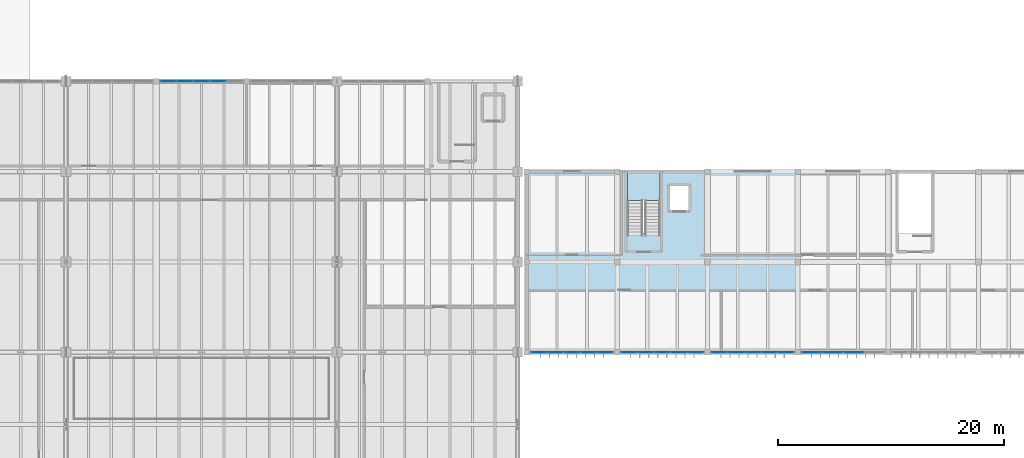
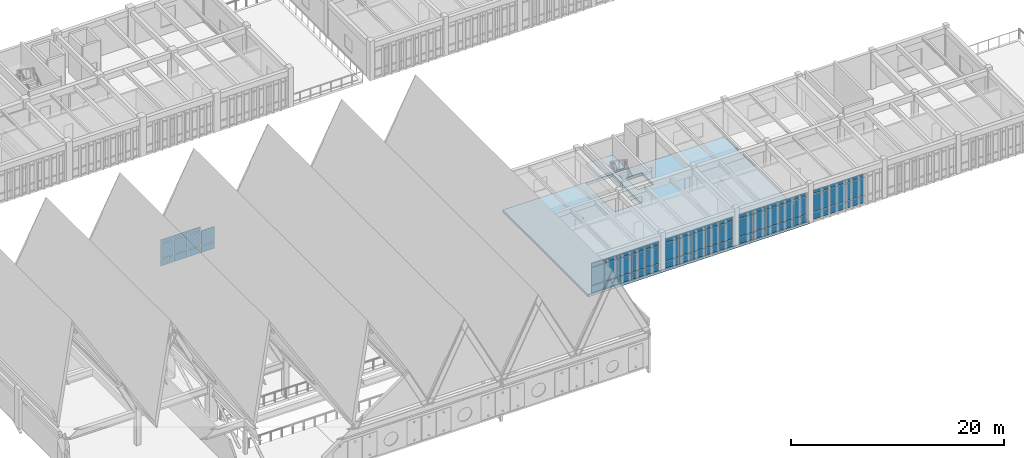
# One storey, part 36 of 72: 65 plates, 2 slabs, 6 elements without a shape of their own.
"""IFC4 building model written with IfcOpenShell, lengths in metres."""

from ifc_helpers import new_model, si_unit, direction, frame, origin, origin_2d, place, context, subcontext, project, spatial, polyline, rectangle, outline, extrude, material, layer, layer_set, type_object, element, aggregate, save


model = new_model("IFC4")

# Units and contexts
model_context = context("Model", 3, precision=1e-05, world=origin(), true_north=direction((0.0, 1.0)))
body_context = subcontext(model_context, "Body", "Model", "MODEL_VIEW")
ifc_project = project(units=[si_unit("LENGTHUNIT", "METRE"), si_unit("AREAUNIT", "SQUARE_METRE"), si_unit("VOLUMEUNIT", "CUBIC_METRE"), si_unit("PLANEANGLEUNIT", "RADIAN"), si_unit("MASSUNIT", "GRAM", prefix="KILO")], contexts=[model_context])

# Site, building, storey
site_placement = place(None, origin())
site = spatial("IfcSite", under=ifc_project, at=site_placement, CompositionType="ELEMENT")
building_placement = place(site_placement, origin())
building = spatial("IfcBuilding", under=site, at=building_placement, Name="Tlaxcora Railside Police Headquarters", CompositionType="ELEMENT")
storey_placement = place(building_placement, frame((0.0, 0.0, 13.5)))
storey = spatial("IfcBuildingStorey", under=building, at=storey_placement, Name="L03", CompositionType="ELEMENT", Elevation=13.5)

# Curtain wall, plates
ifc_material_1 = material(Name="Thermally broken low-E insulated glazing", Category="glass")
curtain_wall_type_1 = type_object("IfcCurtainWallType", Name="Unitised Curtain Wall Assembly CW-23", PredefinedType="NOTDEFINED", material=ifc_material_1)
curtain_wall_1_placement = place(storey_placement, origin())
curtain_wall_1 = element("IfcCurtainWall", 1, at=curtain_wall_1_placement, inside=storey, type_object=curtain_wall_type_1, Name="V7 L03 curtain wall 184", PredefinedType="NOTDEFINED")
ifc_layer_1 = layer(ifc_material_1, 0.0400390625, Name="Thermally broken low-E insulated glazing")
ifc_layer_set_1 = layer_set([ifc_layer_1], Name="Thermally broken low-E insulated glazing")
plate_type_1 = type_object("IfcPlateType", Name="Curtain Wall Infill Panel CW-17", PredefinedType="CURTAIN_PANEL", material=ifc_layer_set_1)
plate_1_placement = place(storey_placement, frame((103.860107421875, 36.0, 0.080078125), z_axis=(0.0, 0.0, 1.0), x_axis=(1.0, 0.0, 0.0)))
plate_1 = element("IfcPlate", 2, at=plate_1_placement, type_object=plate_type_1, Name="CW panel 1.1", PredefinedType="CURTAIN_PANEL", context=body_context, shape_type="SweptSolid", body=[
    extrude(rectangle(XDim=1.360107421875, YDim=0.0400390625, at=origin_2d()), origin(), (0.0, 0.0, 1.0), 0.780029296875),
])
plate_2_placement = place(storey_placement, frame((103.860107421875, 36.0, 0.93994140625), z_axis=(0.0, 0.0, 1.0), x_axis=(1.0, 0.0, 0.0)))
plate_2 = element("IfcPlate", 3, at=plate_2_placement, type_object=plate_type_1, Name="CW panel 1.2", PredefinedType="CURTAIN_PANEL", context=body_context, shape_type="SweptSolid", body=[
    extrude(rectangle(XDim=1.360107421875, YDim=0.0400390625, at=origin_2d()), origin(), (0.0, 0.0, 1.0), 2.010009765625),
])
plate_3_placement = place(storey_placement, frame((103.860107421875, 36.0, 3.0302734375), z_axis=(0.0, 0.0, 1.0), x_axis=(1.0, 0.0, 0.0)))
plate_3 = element("IfcPlate", 4, at=plate_3_placement, type_object=plate_type_1, Name="CW panel 1.3", PredefinedType="CURTAIN_PANEL", context=body_context, shape_type="SweptSolid", body=[
    extrude(rectangle(XDim=1.360107421875, YDim=0.0400390625, at=origin_2d()), origin(), (0.0, 0.0, 1.0), 0.409912109375),
])
plate_4_placement = place(storey_placement, frame((105.320068359375, 36.0, 0.080078125), z_axis=(0.0, 0.0, 1.0), x_axis=(1.0, 0.0, 0.0)))
plate_4 = element("IfcPlate", 5, at=plate_4_placement, type_object=plate_type_1, Name="CW panel 2.1", PredefinedType="CURTAIN_PANEL", context=body_context, shape_type="SweptSolid", body=[
    extrude(rectangle(XDim=1.39990234375, YDim=0.0400390625, at=origin_2d()), origin(), (0.0, 0.0, 1.0), 0.780029296875),
])
plate_5_placement = place(storey_placement, frame((105.320068359375, 36.0, 0.93994140625), z_axis=(0.0, 0.0, 1.0), x_axis=(1.0, 0.0, 0.0)))
plate_5 = element("IfcPlate", 6, at=plate_5_placement, type_object=plate_type_1, Name="CW panel 2.2", PredefinedType="CURTAIN_PANEL", context=body_context, shape_type="SweptSolid", body=[
    extrude(rectangle(XDim=1.39990234375, YDim=0.0400390625, at=origin_2d()), origin(), (0.0, 0.0, 1.0), 2.010009765625),
])
plate_6_placement = place(storey_placement, frame((105.320068359375, 36.0, 3.0302734375), z_axis=(0.0, 0.0, 1.0), x_axis=(1.0, 0.0, 0.0)))
plate_6 = element("IfcPlate", 7, at=plate_6_placement, type_object=plate_type_1, Name="CW panel 2.3", PredefinedType="CURTAIN_PANEL", context=body_context, shape_type="SweptSolid", body=[
    extrude(rectangle(XDim=1.39990234375, YDim=0.0400390625, at=origin_2d()), origin(), (0.0, 0.0, 1.0), 0.409912109375),
])
plate_7_placement = place(storey_placement, frame((106.800048828125, 36.0, 0.080078125), z_axis=(0.0, 0.0, 1.0), x_axis=(1.0, 0.0, 0.0)))
plate_7 = element("IfcPlate", 8, at=plate_7_placement, type_object=plate_type_1, Name="CW panel 3.1", PredefinedType="CURTAIN_PANEL", context=body_context, shape_type="SweptSolid", body=[
    extrude(rectangle(XDim=1.39990234375, YDim=0.0400390625, at=origin_2d()), origin(), (0.0, 0.0, 1.0), 0.780029296875),
])
plate_8_placement = place(storey_placement, frame((106.800048828125, 36.0, 0.93994140625), z_axis=(0.0, 0.0, 1.0), x_axis=(1.0, 0.0, 0.0)))
plate_8 = element("IfcPlate", 9, at=plate_8_placement, type_object=plate_type_1, Name="CW panel 3.2", PredefinedType="CURTAIN_PANEL", context=body_context, shape_type="SweptSolid", body=[
    extrude(rectangle(XDim=1.39990234375, YDim=0.0400390625, at=origin_2d()), origin(), (0.0, 0.0, 1.0), 2.010009765625),
])
plate_9_placement = place(storey_placement, frame((106.800048828125, 36.0, 3.0302734375), z_axis=(0.0, 0.0, 1.0), x_axis=(1.0, 0.0, 0.0)))
plate_9 = element("IfcPlate", 10, at=plate_9_placement, type_object=plate_type_1, Name="CW panel 3.3", PredefinedType="CURTAIN_PANEL", context=body_context, shape_type="SweptSolid", body=[
    extrude(rectangle(XDim=1.39990234375, YDim=0.0400390625, at=origin_2d()), origin(), (0.0, 0.0, 1.0), 0.409912109375),
])
plate_10_placement = place(storey_placement, frame((108.280029296875, 36.0, 0.080078125), z_axis=(0.0, 0.0, 1.0), x_axis=(1.0, 0.0, 0.0)))
plate_10 = element("IfcPlate", 11, at=plate_10_placement, type_object=plate_type_1, Name="CW panel 4.1", PredefinedType="CURTAIN_PANEL", context=body_context, shape_type="SweptSolid", body=[
    extrude(rectangle(XDim=1.39990234375, YDim=0.0400390625, at=origin_2d()), origin(), (0.0, 0.0, 1.0), 0.780029296875),
])
plate_11_placement = place(storey_placement, frame((108.280029296875, 36.0, 0.93994140625), z_axis=(0.0, 0.0, 1.0), x_axis=(1.0, 0.0, 0.0)))
plate_11 = element("IfcPlate", 12, at=plate_11_placement, type_object=plate_type_1, Name="CW panel 4.2", PredefinedType="CURTAIN_PANEL", context=body_context, shape_type="SweptSolid", body=[
    extrude(rectangle(XDim=1.39990234375, YDim=0.0400390625, at=origin_2d()), origin(), (0.0, 0.0, 1.0), 2.010009765625),
])
plate_12_placement = place(storey_placement, frame((108.280029296875, 36.0, 3.0302734375), z_axis=(0.0, 0.0, 1.0), x_axis=(1.0, 0.0, 0.0)))
plate_12 = element("IfcPlate", 13, at=plate_12_placement, type_object=plate_type_1, Name="CW panel 4.3", PredefinedType="CURTAIN_PANEL", context=body_context, shape_type="SweptSolid", body=[
    extrude(rectangle(XDim=1.39990234375, YDim=0.0400390625, at=origin_2d()), origin(), (0.0, 0.0, 1.0), 0.409912109375),
])
plate_13_placement = place(storey_placement, frame((109.739990234375, 36.0, 0.080078125), z_axis=(0.0, 0.0, 1.0), x_axis=(1.0, 0.0, 0.0)))
plate_13 = element("IfcPlate", 14, at=plate_13_placement, type_object=plate_type_1, Name="CW panel 5.1", PredefinedType="CURTAIN_PANEL", context=body_context, shape_type="SweptSolid", body=[
    extrude(rectangle(XDim=1.360107421875, YDim=0.0400390625, at=origin_2d()), origin(), (0.0, 0.0, 1.0), 0.780029296875),
])
plate_14_placement = place(storey_placement, frame((109.739990234375, 36.0, 0.93994140625), z_axis=(0.0, 0.0, 1.0), x_axis=(1.0, 0.0, 0.0)))
plate_14 = element("IfcPlate", 15, at=plate_14_placement, type_object=plate_type_1, Name="CW panel 5.2", PredefinedType="CURTAIN_PANEL", context=body_context, shape_type="SweptSolid", body=[
    extrude(rectangle(XDim=1.360107421875, YDim=0.0400390625, at=origin_2d()), origin(), (0.0, 0.0, 1.0), 2.010009765625),
])
plate_15_placement = place(storey_placement, frame((109.739990234375, 36.0, 3.0302734375), z_axis=(0.0, 0.0, 1.0), x_axis=(1.0, 0.0, 0.0)))
plate_15 = element("IfcPlate", 16, at=plate_15_placement, type_object=plate_type_1, Name="CW panel 5.3", PredefinedType="CURTAIN_PANEL", context=body_context, shape_type="SweptSolid", body=[
    extrude(rectangle(XDim=1.360107421875, YDim=0.0400390625, at=origin_2d()), origin(), (0.0, 0.0, 1.0), 0.409912109375),
])
aggregate(curtain_wall_1, [plate_1, plate_2, plate_3, plate_4, plate_5, plate_6, plate_7, plate_8, plate_9, plate_10, plate_11, plate_12, plate_13, plate_14, plate_15])

curtain_wall_type_2 = type_object("IfcCurtainWallType", Name="Unitised Curtain Wall Assembly CW-15", PredefinedType="NOTDEFINED", material=ifc_material_1)
curtain_wall_2_placement = place(storey_placement, origin())
curtain_wall_2 = element("IfcCurtainWall", 17, at=curtain_wall_2_placement, inside=storey, type_object=curtain_wall_type_2, Name="V2 L03 curtain wall 18", PredefinedType="NOTDEFINED")
ifc_layer_2 = layer(ifc_material_1, 0.031982421875, Name="Thermally broken low-E insulated glazing")
ifc_layer_set_2 = layer_set([ifc_layer_2], Name="Thermally broken low-E insulated glazing")
plate_type_2 = type_object("IfcPlateType", Name="Curtain Wall Infill Panel CW-41", PredefinedType="CURTAIN_PANEL", material=ifc_layer_set_2)
plate_16_placement = place(storey_placement, frame((75.47998046875, 60.0, 0.074951171875), z_axis=(0.0, 0.0, 1.0), x_axis=(-1.0, 0.0, 0.0)))
plate_16 = element("IfcPlate", 18, at=plate_16_placement, type_object=plate_type_2, Name="CW panel 2.1", PredefinedType="CURTAIN_PANEL", context=body_context, shape_type="SweptSolid", body=[
    extrude(rectangle(XDim=1.405029296875, YDim=0.031982421875, at=origin_2d()), origin(), (0.0, 0.0, 1.0), 0.78759765625),
])
plate_17_placement = place(storey_placement, frame((75.47998046875, 60.0, 0.9375), z_axis=(0.0, 0.0, 1.0), x_axis=(-1.0, 0.0, 0.0)))
plate_17 = element("IfcPlate", 19, at=plate_17_placement, type_object=plate_type_2, Name="CW panel 2.2", PredefinedType="CURTAIN_PANEL", context=body_context, shape_type="SweptSolid", body=[
    extrude(rectangle(XDim=1.405029296875, YDim=0.031982421875, at=origin_2d()), origin(), (0.0, 0.0, 1.0), 1.64990234375),
])
plate_18_placement = place(storey_placement, frame((74.0, 60.0, 0.074951171875), z_axis=(0.0, 0.0, 1.0), x_axis=(-1.0, 0.0, 0.0)))
plate_18 = element("IfcPlate", 20, at=plate_18_placement, type_object=plate_type_2, Name="CW panel 3.1", PredefinedType="CURTAIN_PANEL", context=body_context, shape_type="SweptSolid", body=[
    extrude(rectangle(XDim=1.405029296875, YDim=0.031982421875, at=origin_2d()), origin(), (0.0, 0.0, 1.0), 0.78759765625),
])
plate_19_placement = place(storey_placement, frame((74.0, 60.0, 0.9375), z_axis=(0.0, 0.0, 1.0), x_axis=(-1.0, 0.0, 0.0)))
plate_19 = element("IfcPlate", 21, at=plate_19_placement, type_object=plate_type_2, Name="CW panel 3.2", PredefinedType="CURTAIN_PANEL", context=body_context, shape_type="SweptSolid", body=[
    extrude(rectangle(XDim=1.405029296875, YDim=0.031982421875, at=origin_2d()), origin(), (0.0, 0.0, 1.0), 1.64990234375),
])
plate_20_placement = place(storey_placement, frame((74.0, 60.0, 2.66259765625), z_axis=(0.0, 0.0, 1.0), x_axis=(-1.0, 0.0, 0.0)))
plate_20 = element("IfcPlate", 22, at=plate_20_placement, type_object=plate_type_2, Name="CW panel 3.3", PredefinedType="CURTAIN_PANEL", context=body_context, shape_type="SweptSolid", body=[
    extrude(rectangle(XDim=1.405029296875, YDim=0.031982421875, at=origin_2d()), origin(), (0.0, 0.0, 1.0), 0.41748046875),
])
plate_21_placement = place(storey_placement, frame((72.52001953125, 60.0, 0.074951171875), z_axis=(0.0, 0.0, 1.0), x_axis=(-1.0, 0.0, 0.0)))
plate_21 = element("IfcPlate", 23, at=plate_21_placement, type_object=plate_type_2, Name="CW panel 4.1", PredefinedType="CURTAIN_PANEL", context=body_context, shape_type="SweptSolid", body=[
    extrude(rectangle(XDim=1.405029296875, YDim=0.031982421875, at=origin_2d()), origin(), (0.0, 0.0, 1.0), 0.78759765625),
])
plate_22_placement = place(storey_placement, frame((72.52001953125, 60.0, 0.9375), z_axis=(0.0, 0.0, 1.0), x_axis=(-1.0, 0.0, 0.0)))
plate_22 = element("IfcPlate", 24, at=plate_22_placement, type_object=plate_type_2, Name="CW panel 4.2", PredefinedType="CURTAIN_PANEL", context=body_context, shape_type="SweptSolid", body=[
    extrude(rectangle(XDim=1.405029296875, YDim=0.031982421875, at=origin_2d()), origin(), (0.0, 0.0, 1.0), 1.64990234375),
])
plate_23_placement = place(storey_placement, frame((72.52001953125, 60.0, 2.66259765625), z_axis=(0.0, 0.0, 1.0), x_axis=(-1.0, 0.0, 0.0)))
plate_23 = element("IfcPlate", 25, at=plate_23_placement, type_object=plate_type_2, Name="CW panel 4.3", PredefinedType="CURTAIN_PANEL", context=body_context, shape_type="SweptSolid", body=[
    extrude(rectangle(XDim=1.405029296875, YDim=0.031982421875, at=origin_2d()), origin(), (0.0, 0.0, 1.0), 0.41748046875),
])
plate_24_placement = place(storey_placement, frame((71.058837890625, 60.0, 0.074951171875), z_axis=(0.0, 0.0, 1.0), x_axis=(-1.0, 0.0, 0.0)))
plate_24 = element("IfcPlate", 26, at=plate_24_placement, type_object=plate_type_2, Name="CW panel 5.1", PredefinedType="CURTAIN_PANEL", context=body_context, shape_type="SweptSolid", body=[
    extrude(rectangle(XDim=1.367431640625, YDim=0.031982421875, at=origin_2d()), origin(), (0.0, 0.0, 1.0), 0.78759765625),
])
plate_25_placement = place(storey_placement, frame((71.058837890625, 60.0, 0.9375), z_axis=(0.0, 0.0, 1.0), x_axis=(-1.0, 0.0, 0.0)))
plate_25 = element("IfcPlate", 27, at=plate_25_placement, type_object=plate_type_2, Name="CW panel 5.2", PredefinedType="CURTAIN_PANEL", context=body_context, shape_type="SweptSolid", body=[
    extrude(rectangle(XDim=1.367431640625, YDim=0.031982421875, at=origin_2d()), origin(), (0.0, 0.0, 1.0), 1.64990234375),
])
plate_26_placement = place(storey_placement, frame((71.058837890625, 60.0, 2.66259765625), z_axis=(0.0, 0.0, 1.0), x_axis=(-1.0, 0.0, 0.0)))
plate_26 = element("IfcPlate", 28, at=plate_26_placement, type_object=plate_type_2, Name="CW panel 5.3", PredefinedType="CURTAIN_PANEL", context=body_context, shape_type="SweptSolid", body=[
    extrude(rectangle(XDim=1.367431640625, YDim=0.031982421875, at=origin_2d()), origin(), (0.0, 0.0, 1.0), 0.41748046875),
])
aggregate(curtain_wall_2, [plate_16, plate_17, plate_18, plate_19, plate_20, plate_21, plate_22, plate_23, plate_24, plate_25, plate_26])

curtain_wall_3_placement = place(storey_placement, origin())
curtain_wall_3 = element("IfcCurtainWall", 29, at=curtain_wall_3_placement, inside=storey, type_object=curtain_wall_type_2, Name="V7 L03 curtain wall 186", PredefinedType="NOTDEFINED")
plate_27_placement = place(storey_placement, frame((119.858642578125, 36.0, 0.074951171875), z_axis=(0.0, 0.0, 1.0), x_axis=(1.0, 0.0, 0.0)))
plate_27 = element("IfcPlate", 30, at=plate_27_placement, type_object=plate_type_2, Name="CW panel 1.1", PredefinedType="CURTAIN_PANEL", context=body_context, shape_type="SweptSolid", body=[
    extrude(rectangle(XDim=1.367431640625, YDim=0.031982421875, at=origin_2d()), origin(), (0.0, 0.0, 1.0), 0.78759765625),
])
plate_28_placement = place(storey_placement, frame((119.858642578125, 36.0, 0.9375), z_axis=(0.0, 0.0, 1.0), x_axis=(1.0, 0.0, 0.0)))
plate_28 = element("IfcPlate", 31, at=plate_28_placement, type_object=plate_type_2, Name="CW panel 1.2", PredefinedType="CURTAIN_PANEL", context=body_context, shape_type="SweptSolid", body=[
    extrude(rectangle(XDim=1.367431640625, YDim=0.031982421875, at=origin_2d()), origin(), (0.0, 0.0, 1.0), 2.014892578125),
])
plate_29_placement = place(storey_placement, frame((119.858642578125, 36.0, 3.027587890625), z_axis=(0.0, 0.0, 1.0), x_axis=(1.0, 0.0, 0.0)))
plate_29 = element("IfcPlate", 32, at=plate_29_placement, type_object=plate_type_2, Name="CW panel 1.3", PredefinedType="CURTAIN_PANEL", context=body_context, shape_type="SweptSolid", body=[
    extrude(rectangle(XDim=1.367431640625, YDim=0.031982421875, at=origin_2d()), origin(), (0.0, 0.0, 1.0), 0.41748046875),
])
plate_30_placement = place(storey_placement, frame((121.320068359375, 36.0, 0.074951171875), z_axis=(0.0, 0.0, 1.0), x_axis=(1.0, 0.0, 0.0)))
plate_30 = element("IfcPlate", 33, at=plate_30_placement, type_object=plate_type_2, Name="CW panel 2.1", PredefinedType="CURTAIN_PANEL", context=body_context, shape_type="SweptSolid", body=[
    extrude(rectangle(XDim=1.405029296875, YDim=0.031982421875, at=origin_2d()), origin(), (0.0, 0.0, 1.0), 0.78759765625),
])
plate_31_placement = place(storey_placement, frame((121.320068359375, 36.0, 0.9375), z_axis=(0.0, 0.0, 1.0), x_axis=(1.0, 0.0, 0.0)))
plate_31 = element("IfcPlate", 34, at=plate_31_placement, type_object=plate_type_2, Name="CW panel 2.2", PredefinedType="CURTAIN_PANEL", context=body_context, shape_type="SweptSolid", body=[
    extrude(rectangle(XDim=1.405029296875, YDim=0.031982421875, at=origin_2d()), origin(), (0.0, 0.0, 1.0), 2.014892578125),
])
plate_32_placement = place(storey_placement, frame((121.320068359375, 36.0, 3.027587890625), z_axis=(0.0, 0.0, 1.0), x_axis=(1.0, 0.0, 0.0)))
plate_32 = element("IfcPlate", 35, at=plate_32_placement, type_object=plate_type_2, Name="CW panel 2.3", PredefinedType="CURTAIN_PANEL", context=body_context, shape_type="SweptSolid", body=[
    extrude(rectangle(XDim=1.405029296875, YDim=0.031982421875, at=origin_2d()), origin(), (0.0, 0.0, 1.0), 0.41748046875),
])
plate_33_placement = place(storey_placement, frame((122.800048828125, 36.0, 0.074951171875), z_axis=(0.0, 0.0, 1.0), x_axis=(1.0, 0.0, 0.0)))
plate_33 = element("IfcPlate", 36, at=plate_33_placement, type_object=plate_type_2, Name="CW panel 3.1", PredefinedType="CURTAIN_PANEL", context=body_context, shape_type="SweptSolid", body=[
    extrude(rectangle(XDim=1.405029296875, YDim=0.031982421875, at=origin_2d()), origin(), (0.0, 0.0, 1.0), 0.78759765625),
])
plate_34_placement = place(storey_placement, frame((122.800048828125, 36.0, 0.9375), z_axis=(0.0, 0.0, 1.0), x_axis=(1.0, 0.0, 0.0)))
plate_34 = element("IfcPlate", 37, at=plate_34_placement, type_object=plate_type_2, Name="CW panel 3.2", PredefinedType="CURTAIN_PANEL", context=body_context, shape_type="SweptSolid", body=[
    extrude(rectangle(XDim=1.405029296875, YDim=0.031982421875, at=origin_2d()), origin(), (0.0, 0.0, 1.0), 2.014892578125),
])
plate_35_placement = place(storey_placement, frame((122.800048828125, 36.0, 3.027587890625), z_axis=(0.0, 0.0, 1.0), x_axis=(1.0, 0.0, 0.0)))
plate_35 = element("IfcPlate", 38, at=plate_35_placement, type_object=plate_type_2, Name="CW panel 3.3", PredefinedType="CURTAIN_PANEL", context=body_context, shape_type="SweptSolid", body=[
    extrude(rectangle(XDim=1.405029296875, YDim=0.031982421875, at=origin_2d()), origin(), (0.0, 0.0, 1.0), 0.41748046875),
])
plate_36_placement = place(storey_placement, frame((124.280029296875, 36.0, 0.074951171875), z_axis=(0.0, 0.0, 1.0), x_axis=(1.0, 0.0, 0.0)))
plate_36 = element("IfcPlate", 39, at=plate_36_placement, type_object=plate_type_2, Name="CW panel 4.1", PredefinedType="CURTAIN_PANEL", context=body_context, shape_type="SweptSolid", body=[
    extrude(rectangle(XDim=1.405029296875, YDim=0.031982421875, at=origin_2d()), origin(), (0.0, 0.0, 1.0), 0.78759765625),
])
plate_37_placement = place(storey_placement, frame((124.280029296875, 36.0, 0.9375), z_axis=(0.0, 0.0, 1.0), x_axis=(1.0, 0.0, 0.0)))
plate_37 = element("IfcPlate", 40, at=plate_37_placement, type_object=plate_type_2, Name="CW panel 4.2", PredefinedType="CURTAIN_PANEL", context=body_context, shape_type="SweptSolid", body=[
    extrude(rectangle(XDim=1.405029296875, YDim=0.031982421875, at=origin_2d()), origin(), (0.0, 0.0, 1.0), 2.014892578125),
])
plate_38_placement = place(storey_placement, frame((124.280029296875, 36.0, 3.027587890625), z_axis=(0.0, 0.0, 1.0), x_axis=(1.0, 0.0, 0.0)))
plate_38 = element("IfcPlate", 41, at=plate_38_placement, type_object=plate_type_2, Name="CW panel 4.3", PredefinedType="CURTAIN_PANEL", context=body_context, shape_type="SweptSolid", body=[
    extrude(rectangle(XDim=1.405029296875, YDim=0.031982421875, at=origin_2d()), origin(), (0.0, 0.0, 1.0), 0.41748046875),
])
plate_39_placement = place(storey_placement, frame((125.7412109375, 36.0, 0.074951171875), z_axis=(0.0, 0.0, 1.0), x_axis=(1.0, 0.0, 0.0)))
plate_39 = element("IfcPlate", 42, at=plate_39_placement, type_object=plate_type_2, Name="CW panel 5.1", PredefinedType="CURTAIN_PANEL", context=body_context, shape_type="SweptSolid", body=[
    extrude(rectangle(XDim=1.367431640625, YDim=0.031982421875, at=origin_2d()), origin(), (0.0, 0.0, 1.0), 0.78759765625),
])
plate_40_placement = place(storey_placement, frame((125.7412109375, 36.0, 0.9375), z_axis=(0.0, 0.0, 1.0), x_axis=(1.0, 0.0, 0.0)))
plate_40 = element("IfcPlate", 43, at=plate_40_placement, type_object=plate_type_2, Name="CW panel 5.2", PredefinedType="CURTAIN_PANEL", context=body_context, shape_type="SweptSolid", body=[
    extrude(rectangle(XDim=1.367431640625, YDim=0.031982421875, at=origin_2d()), origin(), (0.0, 0.0, 1.0), 2.014892578125),
])
plate_41_placement = place(storey_placement, frame((125.7412109375, 36.0, 3.027587890625), z_axis=(0.0, 0.0, 1.0), x_axis=(1.0, 0.0, 0.0)))
plate_41 = element("IfcPlate", 44, at=plate_41_placement, type_object=plate_type_2, Name="CW panel 5.3", PredefinedType="CURTAIN_PANEL", context=body_context, shape_type="SweptSolid", body=[
    extrude(rectangle(XDim=1.367431640625, YDim=0.031982421875, at=origin_2d()), origin(), (0.0, 0.0, 1.0), 0.41748046875),
])
aggregate(curtain_wall_3, [plate_27, plate_28, plate_29, plate_30, plate_31, plate_32, plate_33, plate_34, plate_35, plate_36, plate_37, plate_38, plate_39, plate_40, plate_41])

curtain_wall_type_3 = type_object("IfcCurtainWallType", Name="Unitised Curtain Wall Assembly CW-83", PredefinedType="NOTDEFINED", material=ifc_material_1)
curtain_wall_4_placement = place(storey_placement, origin())
curtain_wall_4 = element("IfcCurtainWall", 45, at=curtain_wall_4_placement, inside=storey, type_object=curtain_wall_type_3, Name="V7 L03 curtain wall 187", PredefinedType="NOTDEFINED")
ifc_layer_3 = layer(ifc_material_1, 0.035888671875, Name="Thermally broken low-E insulated glazing")
ifc_layer_set_3 = layer_set([ifc_layer_3], Name="Thermally broken low-E insulated glazing")
plate_type_3 = type_object("IfcPlateType", Name="Curtain Wall Infill Panel CW-72", PredefinedType="CURTAIN_PANEL", material=ifc_layer_set_3)
plate_42_placement = place(storey_placement, frame((128.044921875, 36.0, 0.080078125), z_axis=(0.0, 0.0, 1.0), x_axis=(1.0, 0.0, 0.0)))
plate_42 = element("IfcPlate", 46, at=plate_42_placement, type_object=plate_type_3, Name="CW panel 1.1", PredefinedType="CURTAIN_PANEL", context=body_context, shape_type="SweptSolid", body=[
    extrude(rectangle(XDim=1.72998046875, YDim=0.035888671875, at=origin_2d()), origin(), (0.0, 0.0, 1.0), 0.780029296875),
])
plate_43_placement = place(storey_placement, frame((128.044921875, 36.0, 0.93994140625), z_axis=(0.0, 0.0, 1.0), x_axis=(1.0, 0.0, 0.0)))
plate_43 = element("IfcPlate", 47, at=plate_43_placement, type_object=plate_type_3, Name="CW panel 1.2", PredefinedType="CURTAIN_PANEL", context=body_context, shape_type="SweptSolid", body=[
    extrude(rectangle(XDim=1.72998046875, YDim=0.035888671875, at=origin_2d()), origin(), (0.0, 0.0, 1.0), 2.010009765625),
])
plate_44_placement = place(storey_placement, frame((128.044921875, 36.0, 3.0302734375), z_axis=(0.0, 0.0, 1.0), x_axis=(1.0, 0.0, 0.0)))
plate_44 = element("IfcPlate", 48, at=plate_44_placement, type_object=plate_type_3, Name="CW panel 1.3", PredefinedType="CURTAIN_PANEL", context=body_context, shape_type="SweptSolid", body=[
    extrude(rectangle(XDim=1.72998046875, YDim=0.035888671875, at=origin_2d()), origin(), (0.0, 0.0, 1.0), 0.409912109375),
])
plate_45_placement = place(storey_placement, frame((129.875, 36.0, 0.080078125), z_axis=(0.0, 0.0, 1.0), x_axis=(1.0, 0.0, 0.0)))
plate_45 = element("IfcPlate", 49, at=plate_45_placement, type_object=plate_type_3, Name="CW panel 2.1", PredefinedType="CURTAIN_PANEL", context=body_context, shape_type="SweptSolid", body=[
    extrude(rectangle(XDim=1.77001953125, YDim=0.035888671875, at=origin_2d()), origin(), (0.0, 0.0, 1.0), 0.780029296875),
])
plate_46_placement = place(storey_placement, frame((129.875, 36.0, 0.93994140625), z_axis=(0.0, 0.0, 1.0), x_axis=(1.0, 0.0, 0.0)))
plate_46 = element("IfcPlate", 50, at=plate_46_placement, type_object=plate_type_3, Name="CW panel 2.2", PredefinedType="CURTAIN_PANEL", context=body_context, shape_type="SweptSolid", body=[
    extrude(rectangle(XDim=1.77001953125, YDim=0.035888671875, at=origin_2d()), origin(), (0.0, 0.0, 1.0), 2.010009765625),
])
plate_47_placement = place(storey_placement, frame((129.875, 36.0, 3.0302734375), z_axis=(0.0, 0.0, 1.0), x_axis=(1.0, 0.0, 0.0)))
plate_47 = element("IfcPlate", 51, at=plate_47_placement, type_object=plate_type_3, Name="CW panel 2.3", PredefinedType="CURTAIN_PANEL", context=body_context, shape_type="SweptSolid", body=[
    extrude(rectangle(XDim=1.77001953125, YDim=0.035888671875, at=origin_2d()), origin(), (0.0, 0.0, 1.0), 0.409912109375),
])
plate_48_placement = place(storey_placement, frame((131.72509765625, 36.0, 0.080078125), z_axis=(0.0, 0.0, 1.0), x_axis=(1.0, 0.0, 0.0)))
plate_48 = element("IfcPlate", 52, at=plate_48_placement, type_object=plate_type_3, Name="CW panel 3.1", PredefinedType="CURTAIN_PANEL", context=body_context, shape_type="SweptSolid", body=[
    extrude(rectangle(XDim=1.77001953125, YDim=0.035888671875, at=origin_2d()), origin(), (0.0, 0.0, 1.0), 0.780029296875),
])
plate_49_placement = place(storey_placement, frame((131.72509765625, 36.0, 0.93994140625), z_axis=(0.0, 0.0, 1.0), x_axis=(1.0, 0.0, 0.0)))
plate_49 = element("IfcPlate", 53, at=plate_49_placement, type_object=plate_type_3, Name="CW panel 3.2", PredefinedType="CURTAIN_PANEL", context=body_context, shape_type="SweptSolid", body=[
    extrude(rectangle(XDim=1.77001953125, YDim=0.035888671875, at=origin_2d()), origin(), (0.0, 0.0, 1.0), 2.010009765625),
])
plate_50_placement = place(storey_placement, frame((131.72509765625, 36.0, 3.0302734375), z_axis=(0.0, 0.0, 1.0), x_axis=(1.0, 0.0, 0.0)))
plate_50 = element("IfcPlate", 54, at=plate_50_placement, type_object=plate_type_3, Name="CW panel 3.3", PredefinedType="CURTAIN_PANEL", context=body_context, shape_type="SweptSolid", body=[
    extrude(rectangle(XDim=1.77001953125, YDim=0.035888671875, at=origin_2d()), origin(), (0.0, 0.0, 1.0), 0.409912109375),
])
aggregate(curtain_wall_4, [plate_42, plate_43, plate_44, plate_45, plate_46, plate_47, plate_48, plate_49, plate_50])

curtain_wall_type_4 = type_object("IfcCurtainWallType", Name="Unitised Curtain Wall Assembly CW-38", PredefinedType="NOTDEFINED", material=ifc_material_1)
curtain_wall_5_placement = place(storey_placement, origin())
curtain_wall_5 = element("IfcCurtainWall", 55, at=curtain_wall_5_placement, inside=storey, type_object=curtain_wall_type_4, Name="V7 L03 curtain wall 185", PredefinedType="NOTDEFINED")
ifc_layer_4 = layer(ifc_material_1, 0.028076171875, Name="Thermally broken low-E insulated glazing")
ifc_layer_set_4 = layer_set([ifc_layer_4], Name="Thermally broken low-E insulated glazing")
plate_type_4 = type_object("IfcPlateType", Name="Curtain Wall Infill Panel CW-92", PredefinedType="CURTAIN_PANEL", material=ifc_layer_set_4)
plate_51_placement = place(storey_placement, frame((111.858642578125, 36.0, 0.074951171875), z_axis=(0.0, 0.0, 1.0), x_axis=(1.0, 0.0, 0.0)))
plate_51 = element("IfcPlate", 56, at=plate_51_placement, type_object=plate_type_4, Name="CW panel 1.1", PredefinedType="CURTAIN_PANEL", context=body_context, shape_type="SweptSolid", body=[
    extrude(rectangle(XDim=1.367431640625, YDim=0.028076171875, at=origin_2d()), origin(), (0.0, 0.0, 1.0), 0.78759765625),
])
plate_52_placement = place(storey_placement, frame((111.858642578125, 36.0, 0.9375), z_axis=(0.0, 0.0, 1.0), x_axis=(1.0, 0.0, 0.0)))
plate_52 = element("IfcPlate", 57, at=plate_52_placement, type_object=plate_type_4, Name="CW panel 1.2", PredefinedType="CURTAIN_PANEL", context=body_context, shape_type="SweptSolid", body=[
    extrude(rectangle(XDim=1.367431640625, YDim=0.028076171875, at=origin_2d()), origin(), (0.0, 0.0, 1.0), 2.014892578125),
])
plate_53_placement = place(storey_placement, frame((111.858642578125, 36.0, 3.027587890625), z_axis=(0.0, 0.0, 1.0), x_axis=(1.0, 0.0, 0.0)))
plate_53 = element("IfcPlate", 58, at=plate_53_placement, type_object=plate_type_4, Name="CW panel 1.3", PredefinedType="CURTAIN_PANEL", context=body_context, shape_type="SweptSolid", body=[
    extrude(rectangle(XDim=1.367431640625, YDim=0.028076171875, at=origin_2d()), origin(), (0.0, 0.0, 1.0), 0.41748046875),
])
plate_54_placement = place(storey_placement, frame((113.320068359375, 36.0, 0.074951171875), z_axis=(0.0, 0.0, 1.0), x_axis=(1.0, 0.0, 0.0)))
plate_54 = element("IfcPlate", 59, at=plate_54_placement, type_object=plate_type_4, Name="CW panel 2.1", PredefinedType="CURTAIN_PANEL", context=body_context, shape_type="SweptSolid", body=[
    extrude(rectangle(XDim=1.405029296875, YDim=0.028076171875, at=origin_2d()), origin(), (0.0, 0.0, 1.0), 0.78759765625),
])
plate_55_placement = place(storey_placement, frame((113.320068359375, 36.0, 0.9375), z_axis=(0.0, 0.0, 1.0), x_axis=(1.0, 0.0, 0.0)))
plate_55 = element("IfcPlate", 60, at=plate_55_placement, type_object=plate_type_4, Name="CW panel 2.2", PredefinedType="CURTAIN_PANEL", context=body_context, shape_type="SweptSolid", body=[
    extrude(rectangle(XDim=1.405029296875, YDim=0.028076171875, at=origin_2d()), origin(), (0.0, 0.0, 1.0), 2.014892578125),
])
plate_56_placement = place(storey_placement, frame((113.320068359375, 36.0, 3.027587890625), z_axis=(0.0, 0.0, 1.0), x_axis=(1.0, 0.0, 0.0)))
plate_56 = element("IfcPlate", 61, at=plate_56_placement, type_object=plate_type_4, Name="CW panel 2.3", PredefinedType="CURTAIN_PANEL", context=body_context, shape_type="SweptSolid", body=[
    extrude(rectangle(XDim=1.405029296875, YDim=0.028076171875, at=origin_2d()), origin(), (0.0, 0.0, 1.0), 0.41748046875),
])
plate_57_placement = place(storey_placement, frame((114.800048828125, 36.0, 0.074951171875), z_axis=(0.0, 0.0, 1.0), x_axis=(1.0, 0.0, 0.0)))
plate_57 = element("IfcPlate", 62, at=plate_57_placement, type_object=plate_type_4, Name="CW panel 3.1", PredefinedType="CURTAIN_PANEL", context=body_context, shape_type="SweptSolid", body=[
    extrude(rectangle(XDim=1.405029296875, YDim=0.028076171875, at=origin_2d()), origin(), (0.0, 0.0, 1.0), 0.78759765625),
])
plate_58_placement = place(storey_placement, frame((114.800048828125, 36.0, 0.9375), z_axis=(0.0, 0.0, 1.0), x_axis=(1.0, 0.0, 0.0)))
plate_58 = element("IfcPlate", 63, at=plate_58_placement, type_object=plate_type_4, Name="CW panel 3.2", PredefinedType="CURTAIN_PANEL", context=body_context, shape_type="SweptSolid", body=[
    extrude(rectangle(XDim=1.405029296875, YDim=0.028076171875, at=origin_2d()), origin(), (0.0, 0.0, 1.0), 2.014892578125),
])
plate_59_placement = place(storey_placement, frame((114.800048828125, 36.0, 3.027587890625), z_axis=(0.0, 0.0, 1.0), x_axis=(1.0, 0.0, 0.0)))
plate_59 = element("IfcPlate", 64, at=plate_59_placement, type_object=plate_type_4, Name="CW panel 3.3", PredefinedType="CURTAIN_PANEL", context=body_context, shape_type="SweptSolid", body=[
    extrude(rectangle(XDim=1.405029296875, YDim=0.028076171875, at=origin_2d()), origin(), (0.0, 0.0, 1.0), 0.41748046875),
])
plate_60_placement = place(storey_placement, frame((116.280029296875, 36.0, 0.074951171875), z_axis=(0.0, 0.0, 1.0), x_axis=(1.0, 0.0, 0.0)))
plate_60 = element("IfcPlate", 65, at=plate_60_placement, type_object=plate_type_4, Name="CW panel 4.1", PredefinedType="CURTAIN_PANEL", context=body_context, shape_type="SweptSolid", body=[
    extrude(rectangle(XDim=1.405029296875, YDim=0.028076171875, at=origin_2d()), origin(), (0.0, 0.0, 1.0), 0.78759765625),
])
plate_61_placement = place(storey_placement, frame((116.280029296875, 36.0, 0.9375), z_axis=(0.0, 0.0, 1.0), x_axis=(1.0, 0.0, 0.0)))
plate_61 = element("IfcPlate", 66, at=plate_61_placement, type_object=plate_type_4, Name="CW panel 4.2", PredefinedType="CURTAIN_PANEL", context=body_context, shape_type="SweptSolid", body=[
    extrude(rectangle(XDim=1.405029296875, YDim=0.028076171875, at=origin_2d()), origin(), (0.0, 0.0, 1.0), 2.014892578125),
])
plate_62_placement = place(storey_placement, frame((116.280029296875, 36.0, 3.027587890625), z_axis=(0.0, 0.0, 1.0), x_axis=(1.0, 0.0, 0.0)))
plate_62 = element("IfcPlate", 67, at=plate_62_placement, type_object=plate_type_4, Name="CW panel 4.3", PredefinedType="CURTAIN_PANEL", context=body_context, shape_type="SweptSolid", body=[
    extrude(rectangle(XDim=1.405029296875, YDim=0.028076171875, at=origin_2d()), origin(), (0.0, 0.0, 1.0), 0.41748046875),
])
plate_63_placement = place(storey_placement, frame((117.7412109375, 36.0, 0.074951171875), z_axis=(0.0, 0.0, 1.0), x_axis=(1.0, 0.0, 0.0)))
plate_63 = element("IfcPlate", 68, at=plate_63_placement, type_object=plate_type_4, Name="CW panel 5.1", PredefinedType="CURTAIN_PANEL", context=body_context, shape_type="SweptSolid", body=[
    extrude(rectangle(XDim=1.367431640625, YDim=0.028076171875, at=origin_2d()), origin(), (0.0, 0.0, 1.0), 0.78759765625),
])
plate_64_placement = place(storey_placement, frame((117.7412109375, 36.0, 0.9375), z_axis=(0.0, 0.0, 1.0), x_axis=(1.0, 0.0, 0.0)))
plate_64 = element("IfcPlate", 69, at=plate_64_placement, type_object=plate_type_4, Name="CW panel 5.2", PredefinedType="CURTAIN_PANEL", context=body_context, shape_type="SweptSolid", body=[
    extrude(rectangle(XDim=1.367431640625, YDim=0.028076171875, at=origin_2d()), origin(), (0.0, 0.0, 1.0), 2.014892578125),
])
plate_65_placement = place(storey_placement, frame((117.7412109375, 36.0, 3.027587890625), z_axis=(0.0, 0.0, 1.0), x_axis=(1.0, 0.0, 0.0)))
plate_65 = element("IfcPlate", 70, at=plate_65_placement, type_object=plate_type_4, Name="CW panel 5.3", PredefinedType="CURTAIN_PANEL", context=body_context, shape_type="SweptSolid", body=[
    extrude(rectangle(XDim=1.367431640625, YDim=0.028076171875, at=origin_2d()), origin(), (0.0, 0.0, 1.0), 0.41748046875),
])
aggregate(curtain_wall_5, [plate_51, plate_52, plate_53, plate_54, plate_55, plate_56, plate_57, plate_58, plate_59, plate_60, plate_61, plate_62, plate_63, plate_64, plate_65])

# Stair, slab
ifc_material_2 = material(Name="Concrete C40/50", Category="concrete")
stair_type = type_object("IfcStairType", Name="Half-Turn Dog-Leg Stair ST-97", PredefinedType="HALF_TURN_STAIR", material=ifc_material_2)
stair_placement = place(storey_placement, origin())
stair = element("IfcStair", 71, at=stair_placement, inside=storey, type_object=stair_type, Name="L03 ST5", PredefinedType="HALF_TURN_STAIR")
ifc_material_3 = material(Name="Concrete C35/45", Category="concrete")
ifc_layer_5 = layer(ifc_material_3, 0.199951171875, Name="Concrete C35/45")
ifc_layer_set_5 = layer_set([ifc_layer_5], Name="Concrete C35/45")
slab_type_1 = type_object("IfcSlabType", Name="Stair Landing Slab SL-23", PredefinedType="LANDING", material=ifc_layer_set_5)
slab_1_placement = place(storey_placement, frame((0.0, 0.0, 2.050048828125)))
slab_1 = element("IfcSlab", 72, at=slab_1_placement, type_object=slab_type_1, Name="ST5 landing 1", PredefinedType="LANDING", context=body_context, shape_type="SweptSolid", body=[
    extrude(outline(polyline([(114.610107421875, 49.43994140625), (114.610107421875, 51.889892578125), (111.7099609375, 51.889892578125), (111.7099609375, 49.43994140625), (114.610107421875, 49.43994140625)])), origin(), (0.0, 0.0, 1.0), 0.199951171875),
])
aggregate(stair, [slab_1])

# Slab
ifc_layer_6 = layer(ifc_material_3, 0.280029296875, Name="Concrete C35/45")
ifc_layer_set_6 = layer_set([ifc_layer_6], Name="Concrete C35/45")
slab_type_2 = type_object("IfcSlabType", Name="Suspended Floor Slab SL-16", PredefinedType="FLOOR", material=ifc_layer_set_6)
slab_2_placement = place(storey_placement, frame((0.0, 0.0, -0.280029296875)))
element("IfcSlab", 73, at=slab_2_placement, inside=storey, type_object=slab_type_2, Name="V7 L03 floor slab zone 1", PredefinedType="FLOOR", context=body_context, shape_type="SweptSolid", body=[
    extrude(outline(polyline([(126.800048828125, 52.0), (102.800048828125, 52.0), (102.800048828125, 36.0), (126.800048828125, 36.0), (126.800048828125, 52.0)]), holes=[polyline([(111.7099609375, 51.889892578125), (114.610107421875, 51.889892578125), (114.610107421875, 46.5), (111.7099609375, 46.5), (111.7099609375, 51.889892578125)]), polyline([(117.14990234375, 50.75), (117.14990234375, 48.550048828125), (115.449951171875, 48.550048828125), (115.449951171875, 50.75), (117.14990234375, 50.75)])]), origin(), (0.0, 0.0, 1.0), 0.280029296875),
])

save(model, "model.ifc")
